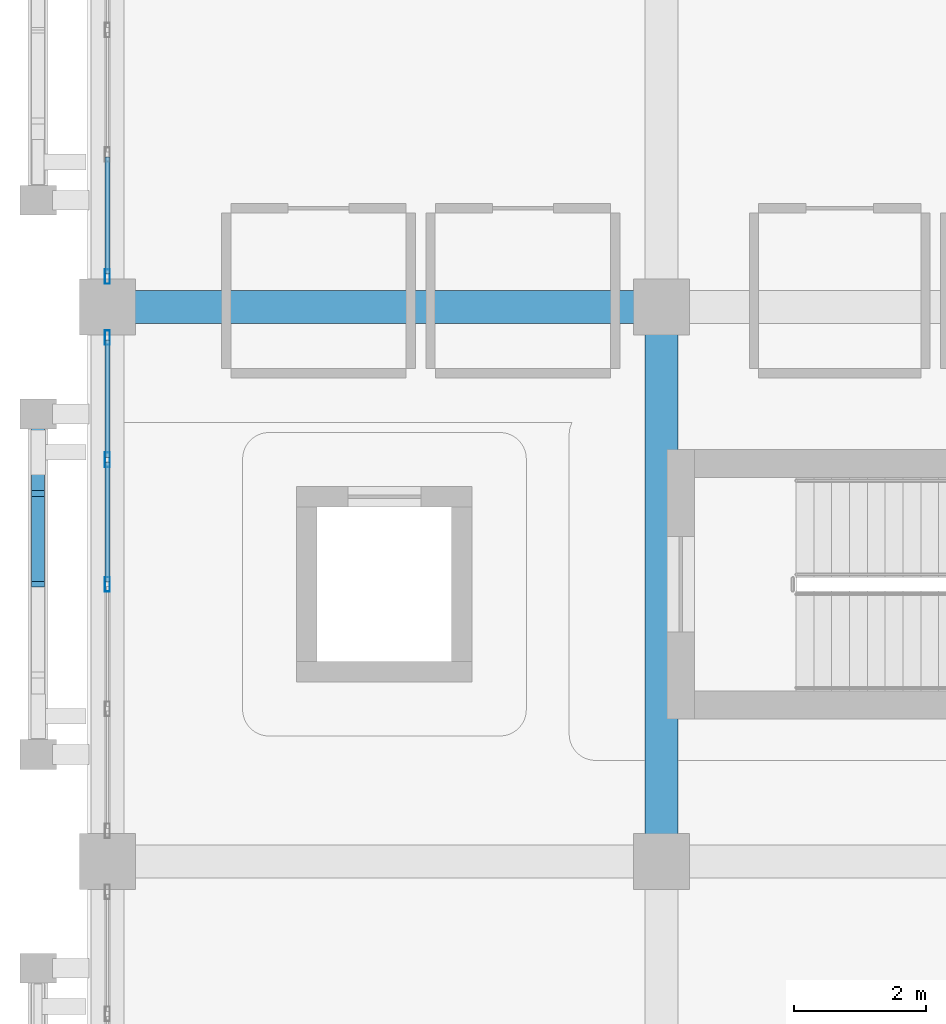
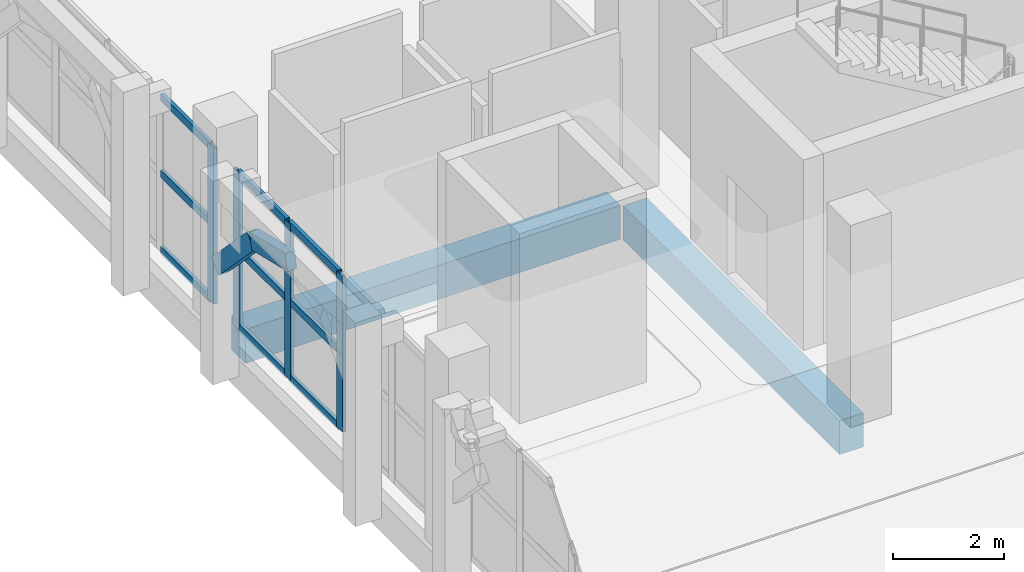
# One storey, part 50 of 137: 15 members, 2 beams, 2 elements without a shape of their own.
"""IFC4 building model written with IfcOpenShell, lengths in metres."""

from ifc_helpers import new_model, si_unit, direction, frame, origin, origin_2d, place, context, subcontext, project, spatial, rectangle, hollow_rectangle, extrude, material, layer, layer_set, material_profile, profile_set, type_object, element, aggregate, save


model = new_model("IFC4")

# Units and contexts
model_context = context("Model", 3, precision=1e-05, world=origin(), true_north=direction((0.0, 1.0)))
body_context = subcontext(model_context, "Body", "Model", "MODEL_VIEW")
ifc_project = project(units=[si_unit("LENGTHUNIT", "METRE"), si_unit("AREAUNIT", "SQUARE_METRE"), si_unit("VOLUMEUNIT", "CUBIC_METRE"), si_unit("PLANEANGLEUNIT", "RADIAN"), si_unit("MASSUNIT", "GRAM", prefix="KILO")], contexts=[model_context])

# Site, building, storey
site_placement = place(None, origin())
site = spatial("IfcSite", under=ifc_project, at=site_placement, CompositionType="ELEMENT")
building_placement = place(site_placement, origin())
building = spatial("IfcBuilding", under=site, at=building_placement, Name="Xazarin Passage Department Store", CompositionType="ELEMENT")
storey_placement = place(building_placement, frame((0.0, 0.0, 5.39990234375)))
storey = spatial("IfcBuildingStorey", under=building, at=storey_placement, Name="L01", CompositionType="ELEMENT", Elevation=5.39990234375)

# Curtain wall, members
ifc_material_1 = material(Name="Bronze anodised aluminium", Category="aluminium")
ifc_layer = layer(ifc_material_1, 0.179931640625)
ifc_layer_set = layer_set([ifc_layer], Name="Bronze anodised aluminium")
curtain_wall_type = type_object("IfcCurtainWallType", Name="ARC-CW-VIT1", PredefinedType="NOTDEFINED", material=ifc_layer_set)
curtain_wall_1_placement = place(storey_placement, origin())
curtain_wall_1 = element("IfcCurtainWall", 1, at=curtain_wall_1_placement, inside=storey, type_object=curtain_wall_type, Name="L01 V1 Curtain Wall 021", PredefinedType="NOTDEFINED")
ifc_material_profile_1 = material_profile(ifc_material_1, hollow_rectangle(XDim=0.074951171875, YDim=0.219970703125, WallThickness=0.0048828125, at=origin_2d()), Name="ALU 75x220")
ifc_profile_set_1 = profile_set([ifc_material_profile_1], Name="Bronze anodised aluminium")
member_type_1 = type_object("IfcMemberType", Name="ARC-CWM-75x220", PredefinedType="MULLION", material=ifc_profile_set_1)
member_1_placement = place(storey_placement, frame((0.0, 80.60009765625, 0.0), z_axis=(0.0, 0.0, 1.0), x_axis=(-1.0, 0.0, 0.0)))
member_1 = element("IfcMember", 2, at=member_1_placement, type_object=member_type_1, Name="CW1 mullion 3", PredefinedType="MULLION", context=body_context, shape_type="SweptSolid", body=[
    extrude(hollow_rectangle(XDim=0.074951171875, YDim=0.219970703125, WallThickness=0.0048828125, at=origin_2d()), origin(), (0.0, 0.0, 1.0), 3.4501953125),
])
member_2_placement = place(storey_placement, frame((0.0, 82.487548828125, 0.0), z_axis=(0.0, 0.0, 1.0), x_axis=(-1.0, 0.0, 0.0)))
member_2 = element("IfcMember", 3, at=member_2_placement, type_object=member_type_1, Name="CW1 mullion 4", PredefinedType="MULLION", context=body_context, shape_type="SweptSolid", body=[
    extrude(hollow_rectangle(XDim=0.074951171875, YDim=0.219970703125, WallThickness=0.0048828125, at=origin_2d()), origin(), (0.0, 0.0, 1.0), 3.4501953125),
])
member_3_placement = place(storey_placement, frame((0.0, 84.33740234375, 0.0), z_axis=(0.0, 0.0, 1.0), x_axis=(-1.0, 0.0, 0.0)))
member_3 = element("IfcMember", 4, at=member_3_placement, type_object=member_type_1, Name="CW1 mullion 5", PredefinedType="MULLION", context=body_context, shape_type="SweptSolid", body=[
    extrude(hollow_rectangle(XDim=0.074951171875, YDim=0.219970703125, WallThickness=0.0048828125, at=origin_2d()), origin(), (0.0, 0.0, 1.0), 3.4501953125),
])

# Curtain wall, member
curtain_wall_2_placement = place(storey_placement, origin())
curtain_wall_2 = element("IfcCurtainWall", 5, at=curtain_wall_2_placement, inside=storey, type_object=curtain_wall_type, Name="L01 V1 Curtain Wall 022", PredefinedType="NOTDEFINED")
member_4_placement = place(storey_placement, frame((0.0, 85.262451171875, 0.0), z_axis=(0.0, 0.0, 1.0), x_axis=(-1.0, 0.0, 0.0)))
member_4 = element("IfcMember", 6, at=member_4_placement, type_object=member_type_1, Name="CW1 mullion 1", PredefinedType="MULLION", context=body_context, shape_type="SweptSolid", body=[
    extrude(hollow_rectangle(XDim=0.074951171875, YDim=0.219970703125, WallThickness=0.0048828125, at=origin_2d()), origin(), (0.0, 0.0, 1.0), 3.4501953125),
])

# Member
ifc_material_profile_2 = material_profile(ifc_material_1, hollow_rectangle(XDim=0.074951171875, YDim=0.159912109375, WallThickness=0.00439453125, at=origin_2d()), Name="ALU 75x160")
ifc_profile_set_2 = profile_set([ifc_material_profile_2], Name="Bronze anodised aluminium")
member_type_2 = type_object("IfcMemberType", Name="ARC-CWT-75x160", PredefinedType="USERDEFINED", material=ifc_profile_set_2)
member_5_placement = place(storey_placement, frame((0.0, 80.637451171875, 0.03759765625), z_axis=(0.0, 1.0, 0.0), x_axis=(-1.0, 0.0, 0.0)))
member_5 = element("IfcMember", 7, at=member_5_placement, type_object=member_type_2, Name="CW1 transom 3.1", ObjectType="TRANSOM", PredefinedType="USERDEFINED", context=body_context, shape_type="SweptSolid", body=[
    extrude(hollow_rectangle(XDim=0.074951171875, YDim=0.159912109375, WallThickness=0.00439453125, at=origin_2d()), origin(), (0.0, 0.0, 1.0), 1.8125),
])

member_6_placement = place(storey_placement, frame((0.0, 80.637451171875, 1.72509765625), z_axis=(0.0, 1.0, 0.0), x_axis=(-1.0, 0.0, 0.0)))
member_6 = element("IfcMember", 8, at=member_6_placement, type_object=member_type_2, Name="CW1 transom 3.2", ObjectType="TRANSOM", PredefinedType="USERDEFINED", context=body_context, shape_type="SweptSolid", body=[
    extrude(hollow_rectangle(XDim=0.074951171875, YDim=0.159912109375, WallThickness=0.00439453125, at=origin_2d()), origin(), (0.0, 0.0, 1.0), 1.8125),
])

member_7_placement = place(storey_placement, frame((0.0, 80.637451171875, 3.41259765625), z_axis=(0.0, 1.0, 0.0), x_axis=(-1.0, 0.0, 0.0)))
member_7 = element("IfcMember", 9, at=member_7_placement, type_object=member_type_2, Name="CW1 transom 3.3", ObjectType="TRANSOM", PredefinedType="USERDEFINED", context=body_context, shape_type="SweptSolid", body=[
    extrude(hollow_rectangle(XDim=0.074951171875, YDim=0.159912109375, WallThickness=0.00439453125, at=origin_2d()), origin(), (0.0, 0.0, 1.0), 1.8125),
])

member_8_placement = place(storey_placement, frame((0.0, 82.52490234375, 0.03759765625), z_axis=(0.0, 1.0, 0.0), x_axis=(-1.0, 0.0, 0.0)))
member_8 = element("IfcMember", 10, at=member_8_placement, type_object=member_type_2, Name="CW1 transom 4.1", ObjectType="TRANSOM", PredefinedType="USERDEFINED", context=body_context, shape_type="SweptSolid", body=[
    extrude(hollow_rectangle(XDim=0.074951171875, YDim=0.159912109375, WallThickness=0.00439453125, at=origin_2d()), origin(), (0.0, 0.0, 1.0), 1.775146484375),
])

member_9_placement = place(storey_placement, frame((0.0, 82.52490234375, 1.72509765625), z_axis=(0.0, 1.0, 0.0), x_axis=(-1.0, 0.0, 0.0)))
member_9 = element("IfcMember", 11, at=member_9_placement, type_object=member_type_2, Name="CW1 transom 4.2", ObjectType="TRANSOM", PredefinedType="USERDEFINED", context=body_context, shape_type="SweptSolid", body=[
    extrude(hollow_rectangle(XDim=0.074951171875, YDim=0.159912109375, WallThickness=0.00439453125, at=origin_2d()), origin(), (0.0, 0.0, 1.0), 1.775146484375),
])

member_10_placement = place(storey_placement, frame((0.0, 82.52490234375, 3.41259765625), z_axis=(0.0, 1.0, 0.0), x_axis=(-1.0, 0.0, 0.0)))
member_10 = element("IfcMember", 12, at=member_10_placement, type_object=member_type_2, Name="CW1 transom 4.3", ObjectType="TRANSOM", PredefinedType="USERDEFINED", context=body_context, shape_type="SweptSolid", body=[
    extrude(hollow_rectangle(XDim=0.074951171875, YDim=0.159912109375, WallThickness=0.00439453125, at=origin_2d()), origin(), (0.0, 0.0, 1.0), 1.775146484375),
])

aggregate(curtain_wall_1, [member_1, member_2, member_3, member_5, member_6, member_7, member_8, member_9, member_10])

member_11_placement = place(storey_placement, frame((0.0, 85.300048828125, 0.03759765625), z_axis=(0.0, 1.0, 0.0), x_axis=(-1.0, 0.0, 0.0)))
member_11 = element("IfcMember", 13, at=member_11_placement, type_object=member_type_2, Name="CW1 transom 1.1", ObjectType="TRANSOM", PredefinedType="USERDEFINED", context=body_context, shape_type="SweptSolid", body=[
    extrude(hollow_rectangle(XDim=0.074951171875, YDim=0.159912109375, WallThickness=0.00439453125, at=origin_2d()), origin(), (0.0, 0.0, 1.0), 1.77490234375),
])

member_12_placement = place(storey_placement, frame((0.0, 85.300048828125, 1.72509765625), z_axis=(0.0, 1.0, 0.0), x_axis=(-1.0, 0.0, 0.0)))
member_12 = element("IfcMember", 14, at=member_12_placement, type_object=member_type_2, Name="CW1 transom 1.2", ObjectType="TRANSOM", PredefinedType="USERDEFINED", context=body_context, shape_type="SweptSolid", body=[
    extrude(hollow_rectangle(XDim=0.074951171875, YDim=0.159912109375, WallThickness=0.00439453125, at=origin_2d()), origin(), (0.0, 0.0, 1.0), 1.77490234375),
])

member_13_placement = place(storey_placement, frame((0.0, 85.300048828125, 3.41259765625), z_axis=(0.0, 1.0, 0.0), x_axis=(-1.0, 0.0, 0.0)))
member_13 = element("IfcMember", 15, at=member_13_placement, type_object=member_type_2, Name="CW1 transom 1.3", ObjectType="TRANSOM", PredefinedType="USERDEFINED", context=body_context, shape_type="SweptSolid", body=[
    extrude(hollow_rectangle(XDim=0.074951171875, YDim=0.159912109375, WallThickness=0.00439453125, at=origin_2d()), origin(), (0.0, 0.0, 1.0), 1.77490234375),
])

aggregate(curtain_wall_2, [member_4, member_11, member_12, member_13])

# Beams
ifc_material_2 = material(Name="Concrete C35/45", Category="concrete")
ifc_material_profile_3 = material_profile(ifc_material_2, rectangle(XDim=0.5, YDim=0.75, at=origin_2d()), Name="RC 500x750")
ifc_profile_set_3 = profile_set([ifc_material_profile_3], Name="Concrete C35/45")
beam_type = type_object("IfcBeamType", Name="STR-BM-SP500x750", PredefinedType="SPANDREL", material=ifc_profile_set_3)
for number, where, z_axis, x_axis, name in (
    (16, (0.280029296875, 84.800048828125, -0.6748046875), (1.0, 0.0, 0.0), (0.0, 1.0, 0.0), "L01 Grid Beam M/1-2"),
    (17, (8.39990234375, 76.679931640625, -0.6748046875), (0.0, 1.0, 0.0), (-1.0, 0.0, 0.0), "L01 Grid Beam 2/L-M"),
):
    element("IfcBeam", number, at=place(storey_placement, frame(where, z_axis=z_axis, x_axis=x_axis)), inside=storey, type_object=beam_type, Name=name, PredefinedType="SPANDREL", context=body_context, shape_type="SweptSolid", body=[
        extrude(rectangle(XDim=0.5, YDim=0.75, at=origin_2d()), origin(), (0.0, 0.0, 1.0), 7.840087890625),
    ])

# Members
ifc_material_3 = material(Name="Concrete C40/50", Category="concrete")
ifc_material_profile_4 = material_profile(ifc_material_3, rectangle(XDim=0.199951171875, YDim=0.360107421875, at=origin_2d()), Name="RC 200x360")
ifc_profile_set_4 = profile_set([ifc_material_profile_4], Name="Concrete C40/50")
member_type_3 = type_object("IfcMemberType", Name="STR-MEM-ARC360", PredefinedType="CHORD", material=ifc_profile_set_4)
member_14_placement = place(storey_placement, frame((-1.050048828125, 80.60009765625, 4.080078125), z_axis=(0.0, 0.972383960415, -0.233386875224), x_axis=(-1.0, 0.0, 0.0)))
element("IfcMember", 18, at=member_14_placement, inside=storey, type_object=member_type_3, Name="L01 V1 Pierced Lattice Curved Arch 011.3", PredefinedType="CHORD", context=body_context, shape_type="SweptSolid", body=[
    extrude(rectangle(XDim=0.199951171875, YDim=0.360107421875, at=origin_2d()), origin(), (0.0, 0.0, 1.0), 1.326416015625),
])
member_15_placement = place(storey_placement, frame((-1.050048828125, 81.889892578125, 3.7705078125), z_axis=(0.0, 0.693460080602, -0.720495049679), x_axis=(-1.0, 0.0, 0.0)))
element("IfcMember", 19, at=member_15_placement, inside=storey, type_object=member_type_3, Name="L01 V1 Pierced Lattice Curved Arch 011.4", PredefinedType="CHORD", context=body_context, shape_type="SweptSolid", body=[
    extrude(rectangle(XDim=0.199951171875, YDim=0.360107421875, at=origin_2d()), origin(), (0.0, 0.0, 1.0), 1.8603515625),
])

save(model, "model.ifc")
